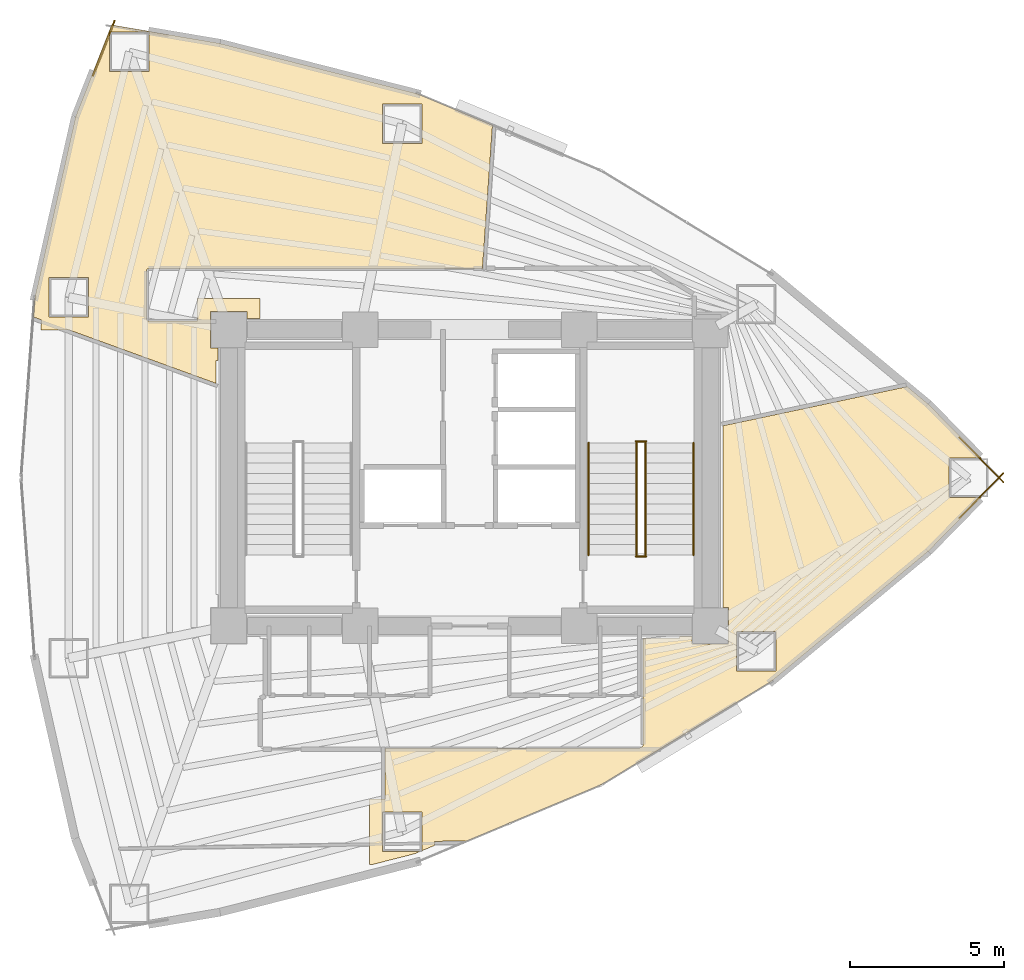
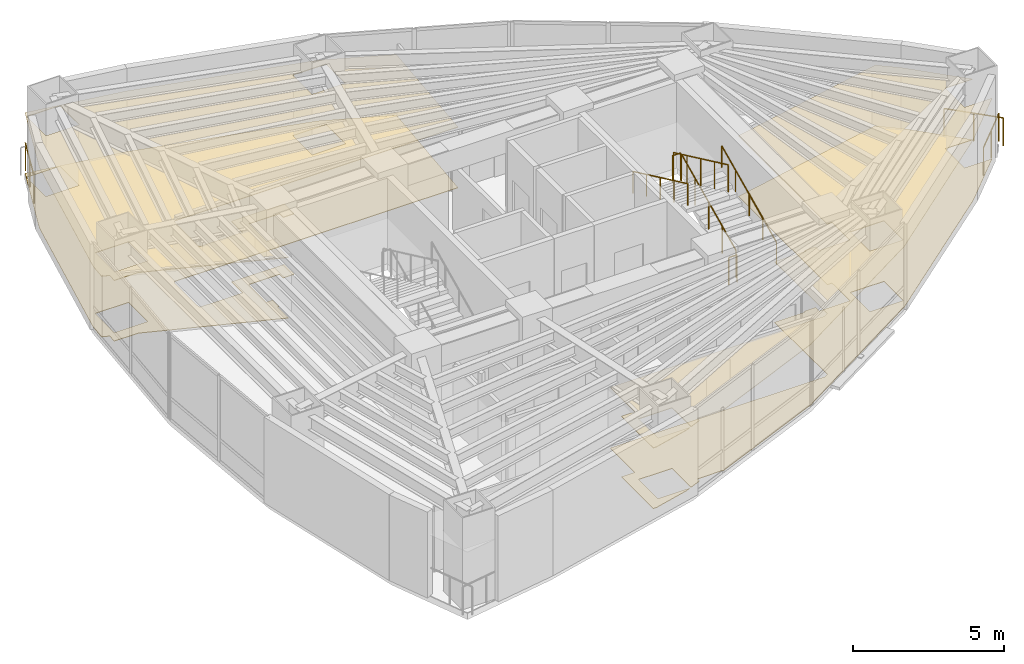
# One storey, part 18 of 19: 9 railings, 4 coverings.
"""IFC4 building model written with IfcOpenShell, lengths in metres."""

import ifcopenshell
import ifcopenshell.guid

model = None  # the IFC model being written
_history = None  # IfcOwnerHistory: only IFC2X3 demands one
_inside = {}  # id of a spatial element -> (the spatial element, [elements in it])
_under = {}  # id of a project, library or spatial element -> (it, [spatial elements below it])
_declared = {}  # id of a project -> (the project, [libraries it declares])
_typed = {}  # id of a type object -> (the type object, [elements of that type])
_made_of = {}  # id of a material, layer set ... -> (it, [elements and type objects made of it])


def new_model(schema):
    """Start an empty IFC model of exactly this schema.

    Asked for "IFC4X3", IfcOpenShell would pick the latest addendum, in which some entities
    have other attributes; the version numbers below select the first issue.
    IFC2X3 requires an IfcOwnerHistory on every rooted entity: one is made here for all.
    """
    global model, _history
    if schema == "IFC4X3":
        model = ifcopenshell.file(schema_version=(4, 3, 0, 0))
    else:
        model = ifcopenshell.file(schema=schema)
    _inside.clear()
    _under.clear()
    _declared.clear()
    _typed.clear()
    _made_of.clear()
    _history = None
    if model.schema == "IFC2X3":
        org = make("IfcOrganization", Name="unknown")
        user = make(
            "IfcPersonAndOrganization",
            ThePerson=make("IfcPerson", FamilyName="unknown"),
            TheOrganization=org,
        )
        app = make(
            "IfcApplication",
            ApplicationDeveloper=org,
            Version="unknown",
            ApplicationFullName="unknown",
            ApplicationIdentifier="unknown",
        )
        _history = make(
            "IfcOwnerHistory",
            OwningUser=user,
            OwningApplication=app,
            ChangeAction="ADDED",
            CreationDate=0,
        )
    return model


def make(cls, **values):
    """One entity of the class cls with the attributes given. An attribute that is None is left unset."""
    return model.create_entity(
        cls, **{name: value for name, value in values.items() if value is not None}
    )


def rooted(cls, **values):
    """An entity with a GlobalId (a new one), such as an element, a storey or a relation."""
    return make(cls, GlobalId=ifcopenshell.guid.new(), OwnerHistory=_history, **values)


def si_unit(unit_type, name, prefix=None):
    """IfcSIUnit, for example si_unit("LENGTHUNIT", "METRE", prefix="MILLI")."""
    return make("IfcSIUnit", UnitType=unit_type, Prefix=prefix, Name=name)


def assignment(units):
    """IfcUnitAssignment: the units of a project."""
    return None if units is None else make("IfcUnitAssignment", Units=units)


def point(xyz):
    """IfcCartesianPoint."""
    return None if xyz is None else make("IfcCartesianPoint", Coordinates=xyz)


def direction(xyz):
    """IfcDirection."""
    return None if xyz is None else make("IfcDirection", DirectionRatios=xyz)


def frame(location, z_axis=None, x_axis=None):
    """IfcAxis2Placement3D, a coordinate frame: its origin and axes. An axis left out is left unset."""
    return make(
        "IfcAxis2Placement3D",
        Location=point(location),
        Axis=direction(z_axis),
        RefDirection=direction(x_axis),
    )


def frame_2d(location, x_axis=None):
    """IfcAxis2Placement2D, a coordinate frame in the plane: its origin and x axis."""
    return make(
        "IfcAxis2Placement2D", Location=point(location), RefDirection=direction(x_axis)
    )


def origin():
    """The frame at (0, 0, 0) with its axes left unset."""
    return frame((0.0, 0.0, 0.0))


def origin_2d():
    """The frame at (0, 0) in the plane with its x axis left unset."""
    return frame_2d((0.0, 0.0))


def place(relative_to, where):
    """IfcLocalPlacement: puts the frame where relative to a parent placement (None: the world)."""
    return make(
        "IfcLocalPlacement", PlacementRelTo=relative_to, RelativePlacement=where
    )


def context(
    kind, dimensions, precision=None, world=None, true_north=None, identifier=None
):
    """IfcGeometricRepresentationContext, for example the 3D "Model" context."""
    return make(
        "IfcGeometricRepresentationContext",
        ContextIdentifier=identifier,
        ContextType=kind,
        CoordinateSpaceDimension=dimensions,
        Precision=precision,
        WorldCoordinateSystem=world,
        TrueNorth=true_north,
    )


def subcontext(parent, identifier, kind, view, scale=None):
    """IfcGeometricRepresentationSubContext, for example "Body" below "Model"."""
    return make(
        "IfcGeometricRepresentationSubContext",
        ContextIdentifier=identifier,
        ContextType=kind,
        ParentContext=parent,
        TargetScale=scale,
        TargetView=view,
    )


def project(units=None, contexts=None):
    """IfcProject with its units and contexts."""
    return rooted(
        "IfcProject",
        Name="project",
        RepresentationContexts=contexts,
        UnitsInContext=assignment(units),
    )


def spatial(cls, under=None, at=None, **own):
    """A site, building, storey or space (cls), placed at a placement, below another one or the project."""
    s = rooted(cls, ObjectPlacement=at, **own)
    if under is not None:
        _under.setdefault(under.id(), (under, []))[1].append(s)
    return s


def polyline(points):
    """IfcPolyline through the points."""
    return make("IfcPolyline", Points=[point(p) for p in points])


def profile(cls, at=None, kind="AREA", **sizes):
    """A parametric profile (cls). Its sizes go by their IFC names, for example OverallWidth=200.0."""
    return make(cls, ProfileType=kind, Position=at, **sizes)


def circle(**sizes):
    """IfcCircleProfileDef."""
    return profile("IfcCircleProfileDef", **sizes)


def outline(outer, holes=None, kind="AREA"):
    """IfcArbitraryClosedProfileDef: a profile drawn as a closed curve; with holes, ...WithVoids."""
    if holes is None:
        return make("IfcArbitraryClosedProfileDef", ProfileType=kind, OuterCurve=outer)
    return make(
        "IfcArbitraryProfileDefWithVoids",
        ProfileType=kind,
        OuterCurve=outer,
        InnerCurves=holes,
    )


def extrude(swept, where, along, depth):
    """IfcExtrudedAreaSolid: the profile swept, set in the frame where, extruded along a direction by depth."""
    return make(
        "IfcExtrudedAreaSolid",
        SweptArea=swept,
        Position=where,
        ExtrudedDirection=direction(along),
        Depth=depth,
    )


def shape(context_of_items, identifier, shape_type, items):
    """IfcShapeRepresentation: the items that make up one representation, for example the "Body"."""
    return make(
        "IfcShapeRepresentation",
        ContextOfItems=context_of_items,
        RepresentationIdentifier=identifier,
        RepresentationType=shape_type,
        Items=items,
    )


def material(Name=None, Category=None):
    """IfcMaterial."""
    return make("IfcMaterial", Name=Name, Category=Category)


def layer(
    of_material, thickness, ventilated=None, Name=None, Category=None, Priority=None
):
    """IfcMaterialLayer: one layer of a wall or slab, of a material (None: an air gap)."""
    return make(
        "IfcMaterialLayer",
        Material=of_material,
        LayerThickness=thickness,
        IsVentilated=ventilated,
        Name=Name,
        Category=Category,
        Priority=Priority,
    )


def layer_set(layers, Name=None):
    """IfcMaterialLayerSet."""
    return make("IfcMaterialLayerSet", MaterialLayers=layers, LayerSetName=Name)


def made_of(thing, what):
    """Note that an element or type object is made of a material, layer set ...; save() writes the relation."""
    if what is not None:
        _made_of.setdefault(what.id(), (what, []))[1].append(thing)
    return thing


def type_object(cls, material=None, **own):
    """A type object (cls), such as IfcWallType, which elements share."""
    return made_of(rooted(cls, **own), material)


def element(
    cls,
    number,
    at=None,
    inside=None,
    cuts=None,
    type_object=None,
    material=None,
    context=None,
    identifier="Body",
    shape_type=None,
    held_by="IfcProductDefinitionShape",
    body=None,
    shapes=None,
    **own,
):
    """One element of the class cls, such as IfcWall. Its Tag is "e" and its number.

    at: its placement. inside: the storey or other place that contains it. cuts: it is an
    opening in that element (IfcRelVoidsElement). A single representation is given by context,
    identifier, shape_type and body (its items); several are given by shapes. held_by: the class
    of the entity that holds the representations. save() writes the other relations.
    """
    e = rooted(cls, Tag="e%d" % number, ObjectPlacement=at, **own)
    if body is not None:
        shapes = [shape(context, identifier, shape_type, body)]
    if shapes is not None:
        e.Representation = make(held_by, Representations=shapes)
    if inside is not None:
        _inside.setdefault(inside.id(), (inside, []))[1].append(e)
    if cuts is not None:
        rooted(
            "IfcRelVoidsElement", RelatingBuildingElement=cuts, RelatedOpeningElement=e
        )
    if type_object is not None:
        _typed.setdefault(type_object.id(), (type_object, []))[1].append(e)
    return made_of(e, material)


def aggregate(whole, parts):
    """IfcRelAggregates: a whole, such as a stair, and the parts it consists of."""
    return rooted("IfcRelAggregates", RelatingObject=whole, RelatedObjects=parts)


def save(model, path):
    """Write the relations noted so far, then the file.

    IfcRelAggregates (storeys below a building ...), IfcRelContainedInSpatialStructure (elements
    in a storey), IfcRelDefinesByType, IfcRelAssociatesMaterial and IfcRelDeclares: one each for
    every whole, place, type object, material and project.
    """
    for whole, parts in _under.values():
        aggregate(whole, parts)
    for where, things in _inside.values():
        rooted(
            "IfcRelContainedInSpatialStructure",
            RelatedElements=things,
            RelatingStructure=where,
        )
    for kind, things in _typed.values():
        rooted("IfcRelDefinesByType", RelatedObjects=things, RelatingType=kind)
    for what, things in _made_of.values():
        rooted("IfcRelAssociatesMaterial", RelatedObjects=things, RelatingMaterial=what)
    for by, libraries in _declared.values():
        rooted("IfcRelDeclares", RelatingContext=by, RelatedDefinitions=libraries)
    model.write(path)


model = new_model("IFC4")

# Units and contexts
model_context = context("Model", 3, precision=1e-05, world=origin(), true_north=direction((0.0, 1.0)))
body_context = subcontext(model_context, "Body", "Model", "MODEL_VIEW")
ifc_project = project(units=[si_unit("LENGTHUNIT", "METRE"), si_unit("AREAUNIT", "SQUARE_METRE"), si_unit("VOLUMEUNIT", "CUBIC_METRE"), si_unit("PLANEANGLEUNIT", "RADIAN"), si_unit("MASSUNIT", "GRAM", prefix="KILO")], contexts=[model_context])

# Site, building, storey
site_placement = place(None, origin())
site = spatial("IfcSite", under=ifc_project, at=site_placement, CompositionType="ELEMENT")
building_placement = place(site_placement, origin())
building = spatial("IfcBuilding", under=site, at=building_placement, Name="Menara Vayukalpa", CompositionType="ELEMENT")
storey_placement = place(building_placement, frame((0.0, 0.0, 122.580078125)))
storey = spatial("IfcBuildingStorey", under=building, at=storey_placement, Name="L30", CompositionType="ELEMENT", Elevation=122.580078125)

# Coverings
ifc_material_1 = material(Name="Mineral Fibre Acoustic Ceiling Tile", Category="masonry")
ifc_layer_1 = layer(ifc_material_1, 0.02490234375)
ifc_layer_set_1 = layer_set([ifc_layer_1], Name="Mineral Fibre Acoustic Ceiling Tile")
covering_type_1 = type_object("IfcCoveringType", Name="COV-CLG1", PredefinedType="CEILING", material=ifc_layer_set_1)
covering_1_placement = place(storey_placement, frame((0.0, 0.0, 2.449951171875)))
element("IfcCovering", 1, at=covering_1_placement, inside=storey, type_object=covering_type_1, Name="L30 Client Conference Room Acoustic Ceiling", PredefinedType="CEILING", context=body_context, shape_type="SweptSolid", body=[
    extrude(outline(polyline([(22.860107421875, 13.2099609375), (22.860107421875, 13.2109375), (22.860107421875, 13.2119140625), (22.8603515625, 13.212890625), (22.86083984375, 13.2138671875), (22.861083984375, 13.214599609375), (22.86181640625, 13.215576171875), (22.8623046875, 13.21630859375), (22.86279296875, 13.217041015625), (22.86376953125, 13.2177734375), (22.864501953125, 13.21826171875), (22.865234375, 13.21875), (22.8662109375, 13.21923828125), (22.8671875, 13.219482421875), (22.867919921875, 13.2197265625), (22.868896484375, 13.219970703125), (22.8701171875, 13.219970703125), (31.048828125, 13.219970703125), (31.055419921875, 13.22021484375), (31.0615234375, 13.22119140625), (31.06787109375, 13.22265625), (31.073974609375, 13.224609375), (31.079833984375, 13.22705078125), (31.085693359375, 13.230224609375), (31.186279296875, 13.29150390625), (31.192138671875, 13.295654296875), (31.19775390625, 13.30029296875), (31.202880859375, 13.305419921875), (31.207275390625, 13.31103515625), (31.2109375, 13.317138671875), (31.214111328125, 13.323486328125), (31.216796875, 13.330078125), (31.218505859375, 13.337158203125), (31.219482421875, 13.34423828125), (31.219970703125, 13.3515625), (31.219970703125, 14.849609375), (31.219482421875, 14.856689453125), (31.21875, 14.86376953125), (31.217041015625, 14.870361328125), (31.214599609375, 14.876708984375), (31.2119140625, 14.8828125), (31.211669921875, 14.883056640625), (31.211181640625, 14.8837890625), (31.210693359375, 14.884765625), (31.21044921875, 14.8857421875), (31.210205078125, 14.88671875), (31.2099609375, 14.8876953125), (31.2099609375, 14.888671875), (31.2099609375, 16.780029296875), (31.2099609375, 16.781005859375), (31.210205078125, 16.781982421875), (31.21044921875, 16.782958984375), (31.210693359375, 16.78369140625), (31.211181640625, 16.78466796875), (31.211669921875, 16.78564453125), (31.21240234375, 16.786376953125), (31.212890625, 16.787109375), (31.213623046875, 16.78759765625), (31.21435546875, 16.788330078125), (31.21533203125, 16.788818359375), (31.21630859375, 16.789306640625), (31.217041015625, 16.78955078125), (31.218017578125, 16.789794921875), (31.218994140625, 16.7900390625), (31.219970703125, 16.7900390625), (32.389892578125, 16.7900390625), (32.389892578125, 16.85009765625), (32.81005859375, 16.85009765625), (32.81005859375, 16.610107421875), (33.989990234375, 16.610107421875), (33.989990234375, 17.7900390625), (33.81005859375, 17.7900390625), (33.81005859375, 23.67578125), (33.81005859375, 23.6767578125), (33.810302734375, 23.677490234375), (33.810302734375, 23.6787109375), (33.810791015625, 23.679443359375), (33.811279296875, 23.680419921875), (33.811767578125, 23.68115234375), (33.812255859375, 23.681884765625), (33.81298828125, 23.6826171875), (33.813720703125, 23.683349609375), (33.814453125, 23.68408203125), (33.815185546875, 23.6845703125), (33.816162109375, 23.684814453125), (33.81689453125, 23.685302734375), (33.81787109375, 23.685546875), (39.7509765625, 24.946533203125), (39.7568359375, 24.947998046875), (39.76220703125, 24.9501953125), (39.763671875, 24.95068359375), (39.764404296875, 24.951171875), (39.765380859375, 24.951416015625), (39.766357421875, 24.95166015625), (39.767333984375, 24.951904296875), (39.768310546875, 24.951904296875), (39.769287109375, 24.951904296875), (39.770263671875, 24.95166015625), (39.77099609375, 24.951416015625), (39.77197265625, 24.951171875), (39.77294921875, 24.95068359375), (39.773681640625, 24.9501953125), (39.7744140625, 24.94970703125), (40.46044921875, 24.380615234375), (40.461181640625, 24.3798828125), (42.169677734375, 22.639892578125), (41.121826171875, 22.639892578125), (41.121826171875, 21.360107421875), (42.169677734375, 21.360107421875), (40.461181640625, 19.6201171875), (40.46044921875, 19.619384765625), (35.380859375, 15.40673828125), (35.379638671875, 15.406005859375), (29.862060546875, 12.05419921875), (29.861328125, 12.0537109375), (29.860595703125, 12.053466796875), (25.472900390625, 10.218017578125), (25.47216796875, 10.2177734375), (25.47119140625, 10.217529296875), (25.47021484375, 10.21728515625), (25.46923828125, 10.21728515625), (25.46826171875, 10.21728515625), (25.46728515625, 10.21728515625), (25.466552734375, 10.217529296875), (25.465576171875, 10.218017578125), (25.464599609375, 10.21826171875), (25.4638671875, 10.21875), (25.463134765625, 10.21923828125), (25.46240234375, 10.219970703125), (25.459716796875, 10.222412109375), (25.454833984375, 10.225830078125), (25.449951171875, 10.228759765625), (25.444580078125, 10.231201171875), (25.438720703125, 10.23291015625), (25.43310546875, 10.234375), (25.42724609375, 10.235107421875), (25.421142578125, 10.2353515625), (24.46826171875, 10.21875), (24.46826171875, 10.090576171875), (24.048095703125, 9.914794921875), (24.048095703125, 11.172607421875), (22.768310546875, 11.172607421875), (22.768310546875, 9.892578125), (23.9951171875, 9.892578125), (23.818359375, 9.818603515625), (22.46142578125, 9.47265625), (22.34814453125, 9.47265625), (22.34814453125, 11.592529296875), (22.860107421875, 11.592529296875), (22.860107421875, 13.2099609375)]), holes=[polyline([(35.52685546875, 17.018310546875), (34.246826171875, 17.018310546875), (34.246826171875, 15.73828125), (35.52685546875, 15.73828125), (35.52685546875, 17.018310546875)])]), origin(), (0.0, 0.0, 1.0), 0.02490234375),
])
covering_2_placement = place(storey_placement, frame((0.0, 0.0, 2.449951171875)))
element("IfcCovering", 2, at=covering_2_placement, inside=storey, type_object=covering_type_1, Name="L30 Digital Engineering Lab Acoustic Ceiling", PredefinedType="CEILING", context=body_context, shape_type="SweptSolid", body=[
    extrude(outline(polyline([(18.81005859375, 27.14990234375), (18.389892578125, 27.14990234375), (18.389892578125, 27.389892578125), (17.2099609375, 27.389892578125), (17.2099609375, 26.2099609375), (17.449951171875, 26.2099609375), (17.449951171875, 25.7900390625), (17.389892578125, 25.7900390625), (17.389892578125, 25.06640625), (17.389892578125, 25.065185546875), (17.389892578125, 25.064453125), (17.3896484375, 25.0634765625), (17.389404296875, 25.0625), (17.388916015625, 25.061767578125), (17.388427734375, 25.060791015625), (17.3876953125, 25.06005859375), (17.38720703125, 25.059326171875), (17.386474609375, 25.05859375), (17.3857421875, 25.05810546875), (17.385009765625, 25.0576171875), (17.384033203125, 25.05712890625), (17.38330078125, 25.056884765625), (17.382080078125, 25.056640625), (17.38134765625, 25.056396484375), (17.38037109375, 25.056396484375), (17.37939453125, 25.056396484375), (17.37841796875, 25.056396484375), (17.37744140625, 25.056640625), (17.376708984375, 25.056884765625), (12.626708984375, 26.78564453125), (11.7080078125, 26.78564453125), (11.732421875, 27.111328125), (11.475830078125, 27.20458984375), (11.47509765625, 27.205078125), (11.47412109375, 27.20556640625), (11.473388671875, 27.2060546875), (11.472412109375, 27.206787109375), (11.4716796875, 27.20751953125), (11.47119140625, 27.208251953125), (11.470703125, 27.208984375), (11.47021484375, 27.2099609375), (11.4697265625, 27.210693359375), (11.469482421875, 27.2119140625), (11.469482421875, 27.212890625), (11.46923828125, 27.2138671875), (11.46923828125, 27.214599609375), (11.516357421875, 27.843505859375), (11.5166015625, 27.844970703125), (12.831298828125, 33.687744140625), (12.83154296875, 33.6884765625), (12.831787109375, 33.689208984375), (13.997314453125, 36.6572265625), (13.997802734375, 36.658203125), (13.998291015625, 36.658935546875), (13.998779296875, 36.659912109375), (13.99951171875, 36.660400390625), (14.000244140625, 36.6611328125), (14.0009765625, 36.661865234375), (14.001708984375, 36.662353515625), (14.002685546875, 36.66259765625), (14.003662109375, 36.6630859375), (14.00439453125, 36.663330078125), (14.005615234375, 36.66357421875), (14.00634765625, 36.66357421875), (14.00732421875, 36.66357421875), (14.00830078125, 36.66357421875), (17.5078125, 36.0693359375), (17.5087890625, 36.069091796875), (23.903564453125, 34.438232421875), (23.90478515625, 34.437744140625), (26.331787109375, 33.422607421875), (26.33251953125, 33.422119140625), (26.33349609375, 33.421630859375), (26.334228515625, 33.421142578125), (26.3349609375, 33.42041015625), (26.335693359375, 33.419921875), (26.336181640625, 33.4189453125), (26.336669921875, 33.418212890625), (26.337158203125, 33.41748046875), (26.33740234375, 33.41650390625), (26.337646484375, 33.41552734375), (26.337890625, 33.41455078125), (26.337890625, 33.413818359375), (26.337890625, 33.41259765625), (26.013916015625, 28.779296875), (26.013916015625, 28.7783203125), (26.013427734375, 28.77734375), (26.01318359375, 28.7763671875), (26.0126953125, 28.775390625), (26.01220703125, 28.774658203125), (26.01171875, 28.773681640625), (26.010986328125, 28.77294921875), (26.01025390625, 28.7724609375), (26.009521484375, 28.771728515625), (26.0087890625, 28.771240234375), (26.0078125, 28.770751953125), (26.0068359375, 28.7705078125), (26.005859375, 28.770263671875), (26.0048828125, 28.77001953125), (26.00390625, 28.77001953125), (15.2001953125, 28.77001953125), (15.193115234375, 28.76953125), (15.186279296875, 28.768798828125), (15.1796875, 28.76708984375), (15.173095703125, 28.7646484375), (15.1669921875, 28.76171875), (15.1611328125, 28.75830078125), (15.155517578125, 28.75390625), (15.150390625, 28.74951171875), (15.14599609375, 28.744384765625), (15.141845703125, 28.73876953125), (15.13818359375, 28.73291015625), (15.13525390625, 28.726806640625), (15.133056640625, 28.72021484375), (15.13134765625, 28.713623046875), (15.13037109375, 28.706787109375), (15.1298828125, 28.69970703125), (15.1298828125, 27.140380859375), (15.13037109375, 27.13330078125), (15.13134765625, 27.126220703125), (15.133056640625, 27.11962890625), (15.13525390625, 27.11328125), (15.13818359375, 27.10693359375), (15.141845703125, 27.101318359375), (15.14599609375, 27.095458984375), (15.150390625, 27.090576171875), (15.155517578125, 27.0859375), (15.1611328125, 27.081787109375), (15.1669921875, 27.078125), (15.173095703125, 27.0751953125), (15.1796875, 27.072998046875), (15.186279296875, 27.0712890625), (15.193115234375, 27.0703125), (15.2001953125, 27.070068359375), (16.7900390625, 27.070068359375), (16.7900390625, 27.81005859375), (18.81005859375, 27.81005859375), (18.81005859375, 27.14990234375)]), holes=[polyline([(13.24658203125, 28.485595703125), (11.966552734375, 28.485595703125), (11.966552734375, 27.205810546875), (13.24658203125, 27.205810546875), (13.24658203125, 28.485595703125)]), polyline([(15.208984375, 36.4375), (13.92919921875, 36.4375), (13.92919921875, 35.157470703125), (15.208984375, 35.157470703125), (15.208984375, 36.4375)]), polyline([(24.048095703125, 32.827392578125), (24.048095703125, 34.107421875), (22.768310546875, 34.107421875), (22.768310546875, 32.827392578125), (24.048095703125, 32.827392578125)])]), origin(), (0.0, 0.0, 1.0), 0.02490234375),
])
ifc_material_2 = material(Name="Porcelain Stoneware Floor Tile", Category="masonry")
ifc_layer_2 = layer(ifc_material_2, 0.02001953125)
ifc_layer_set_2 = layer_set([ifc_layer_2], Name="Porcelain Stoneware Floor Tile")
covering_type_2 = type_object("IfcCoveringType", Name="COV-FLR1", PredefinedType="FLOORING", material=ifc_layer_set_2)
covering_3_placement = place(storey_placement, origin())
element("IfcCovering", 3, at=covering_3_placement, inside=storey, type_object=covering_type_2, Name="L30 Client Conference Room Porcelain Flooring", PredefinedType="FLOORING", context=body_context, shape_type="SweptSolid", body=[
    extrude(outline(polyline([(22.860107421875, 13.2099609375), (22.860107421875, 13.2109375), (22.860107421875, 13.2119140625), (22.8603515625, 13.212890625), (22.86083984375, 13.2138671875), (22.861083984375, 13.214599609375), (22.86181640625, 13.215576171875), (22.8623046875, 13.21630859375), (22.86279296875, 13.217041015625), (22.86376953125, 13.2177734375), (22.864501953125, 13.21826171875), (22.865234375, 13.21875), (22.8662109375, 13.21923828125), (22.8671875, 13.219482421875), (22.867919921875, 13.2197265625), (22.868896484375, 13.219970703125), (22.8701171875, 13.219970703125), (31.048828125, 13.219970703125), (31.055419921875, 13.22021484375), (31.0615234375, 13.22119140625), (31.06787109375, 13.22265625), (31.073974609375, 13.224609375), (31.079833984375, 13.22705078125), (31.085693359375, 13.230224609375), (31.186279296875, 13.29150390625), (31.192138671875, 13.295654296875), (31.19775390625, 13.30029296875), (31.202880859375, 13.305419921875), (31.207275390625, 13.31103515625), (31.2109375, 13.317138671875), (31.214111328125, 13.323486328125), (31.216796875, 13.330078125), (31.218505859375, 13.337158203125), (31.219482421875, 13.34423828125), (31.219970703125, 13.3515625), (31.219970703125, 14.849609375), (31.219482421875, 14.856689453125), (31.21875, 14.86376953125), (31.217041015625, 14.870361328125), (31.214599609375, 14.876708984375), (31.2119140625, 14.8828125), (31.211669921875, 14.883056640625), (31.211181640625, 14.8837890625), (31.210693359375, 14.884765625), (31.21044921875, 14.8857421875), (31.210205078125, 14.88671875), (31.2099609375, 14.8876953125), (31.2099609375, 14.888671875), (31.2099609375, 16.780029296875), (31.2099609375, 16.781005859375), (31.210205078125, 16.781982421875), (31.21044921875, 16.782958984375), (31.210693359375, 16.78369140625), (31.211181640625, 16.78466796875), (31.211669921875, 16.78564453125), (31.21240234375, 16.786376953125), (31.212890625, 16.787109375), (31.213623046875, 16.78759765625), (31.21435546875, 16.788330078125), (31.21533203125, 16.788818359375), (31.21630859375, 16.789306640625), (31.217041015625, 16.78955078125), (31.218017578125, 16.789794921875), (31.218994140625, 16.7900390625), (31.219970703125, 16.7900390625), (32.389892578125, 16.7900390625), (32.389892578125, 16.85009765625), (32.81005859375, 16.85009765625), (32.81005859375, 16.610107421875), (33.989990234375, 16.610107421875), (33.989990234375, 17.7900390625), (33.81005859375, 17.7900390625), (33.81005859375, 23.67578125), (33.81005859375, 23.6767578125), (33.810302734375, 23.677490234375), (33.810302734375, 23.6787109375), (33.810791015625, 23.679443359375), (33.811279296875, 23.680419921875), (33.811767578125, 23.68115234375), (33.812255859375, 23.681884765625), (33.81298828125, 23.6826171875), (33.813720703125, 23.683349609375), (33.814453125, 23.68408203125), (33.815185546875, 23.6845703125), (33.816162109375, 23.684814453125), (33.81689453125, 23.685302734375), (33.81787109375, 23.685546875), (39.7509765625, 24.946533203125), (39.7568359375, 24.947998046875), (39.76220703125, 24.9501953125), (39.763671875, 24.95068359375), (39.764404296875, 24.951171875), (39.765380859375, 24.951416015625), (39.766357421875, 24.95166015625), (39.767333984375, 24.951904296875), (39.768310546875, 24.951904296875), (39.769287109375, 24.951904296875), (39.770263671875, 24.95166015625), (39.77099609375, 24.951416015625), (39.77197265625, 24.951171875), (39.77294921875, 24.95068359375), (39.773681640625, 24.9501953125), (39.7744140625, 24.94970703125), (40.46044921875, 24.380615234375), (40.461181640625, 24.3798828125), (42.169677734375, 22.639892578125), (41.121826171875, 22.639892578125), (41.121826171875, 21.360107421875), (42.169677734375, 21.360107421875), (40.461181640625, 19.6201171875), (40.46044921875, 19.619384765625), (35.380859375, 15.40673828125), (35.379638671875, 15.406005859375), (29.862060546875, 12.05419921875), (29.861328125, 12.0537109375), (29.860595703125, 12.053466796875), (25.472900390625, 10.218017578125), (25.47216796875, 10.2177734375), (25.47119140625, 10.217529296875), (25.47021484375, 10.21728515625), (25.46923828125, 10.21728515625), (25.46826171875, 10.21728515625), (25.46728515625, 10.21728515625), (25.466552734375, 10.217529296875), (25.465576171875, 10.218017578125), (25.464599609375, 10.21826171875), (25.4638671875, 10.21875), (25.463134765625, 10.21923828125), (25.46240234375, 10.219970703125), (25.459716796875, 10.222412109375), (25.454833984375, 10.225830078125), (25.449951171875, 10.228759765625), (25.444580078125, 10.231201171875), (25.438720703125, 10.23291015625), (25.43310546875, 10.234375), (25.42724609375, 10.235107421875), (25.421142578125, 10.2353515625), (24.46826171875, 10.21875), (24.46826171875, 10.090576171875), (24.048095703125, 9.914794921875), (24.048095703125, 11.172607421875), (22.768310546875, 11.172607421875), (22.768310546875, 9.892578125), (23.9951171875, 9.892578125), (23.818359375, 9.818603515625), (22.46142578125, 9.47265625), (22.34814453125, 9.47265625), (22.34814453125, 11.592529296875), (22.860107421875, 11.592529296875), (22.860107421875, 13.2099609375)]), holes=[polyline([(35.52685546875, 17.018310546875), (34.246826171875, 17.018310546875), (34.246826171875, 15.73828125), (35.52685546875, 15.73828125), (35.52685546875, 17.018310546875)])]), origin(), (0.0, 0.0, 1.0), 0.02001953125),
])
covering_4_placement = place(storey_placement, origin())
element("IfcCovering", 4, at=covering_4_placement, inside=storey, type_object=covering_type_2, Name="L30 Digital Engineering Lab Porcelain Flooring", PredefinedType="FLOORING", context=body_context, shape_type="SweptSolid", body=[
    extrude(outline(polyline([(18.81005859375, 27.14990234375), (18.389892578125, 27.14990234375), (18.389892578125, 27.389892578125), (17.2099609375, 27.389892578125), (17.2099609375, 26.2099609375), (17.449951171875, 26.2099609375), (17.449951171875, 25.7900390625), (17.389892578125, 25.7900390625), (17.389892578125, 25.06640625), (17.389892578125, 25.065185546875), (17.389892578125, 25.064453125), (17.3896484375, 25.0634765625), (17.389404296875, 25.0625), (17.388916015625, 25.061767578125), (17.388427734375, 25.060791015625), (17.3876953125, 25.06005859375), (17.38720703125, 25.059326171875), (17.386474609375, 25.05859375), (17.3857421875, 25.05810546875), (17.385009765625, 25.0576171875), (17.384033203125, 25.05712890625), (17.38330078125, 25.056884765625), (17.382080078125, 25.056640625), (17.38134765625, 25.056396484375), (17.38037109375, 25.056396484375), (17.37939453125, 25.056396484375), (17.37841796875, 25.056396484375), (17.37744140625, 25.056640625), (17.376708984375, 25.056884765625), (12.626708984375, 26.78564453125), (11.7080078125, 26.78564453125), (11.732421875, 27.111328125), (11.475830078125, 27.20458984375), (11.47509765625, 27.205078125), (11.47412109375, 27.20556640625), (11.473388671875, 27.2060546875), (11.472412109375, 27.206787109375), (11.4716796875, 27.20751953125), (11.47119140625, 27.208251953125), (11.470703125, 27.208984375), (11.47021484375, 27.2099609375), (11.4697265625, 27.210693359375), (11.469482421875, 27.2119140625), (11.469482421875, 27.212890625), (11.46923828125, 27.2138671875), (11.46923828125, 27.214599609375), (11.516357421875, 27.843505859375), (11.5166015625, 27.844970703125), (12.831298828125, 33.687744140625), (12.83154296875, 33.6884765625), (12.831787109375, 33.689208984375), (13.997314453125, 36.6572265625), (13.997802734375, 36.658203125), (13.998291015625, 36.658935546875), (13.998779296875, 36.659912109375), (13.99951171875, 36.660400390625), (14.000244140625, 36.6611328125), (14.0009765625, 36.661865234375), (14.001708984375, 36.662353515625), (14.002685546875, 36.66259765625), (14.003662109375, 36.6630859375), (14.00439453125, 36.663330078125), (14.005615234375, 36.66357421875), (14.00634765625, 36.66357421875), (14.00732421875, 36.66357421875), (14.00830078125, 36.66357421875), (17.5078125, 36.0693359375), (17.5087890625, 36.069091796875), (23.903564453125, 34.438232421875), (23.90478515625, 34.437744140625), (26.331787109375, 33.422607421875), (26.33251953125, 33.422119140625), (26.33349609375, 33.421630859375), (26.334228515625, 33.421142578125), (26.3349609375, 33.42041015625), (26.335693359375, 33.419921875), (26.336181640625, 33.4189453125), (26.336669921875, 33.418212890625), (26.337158203125, 33.41748046875), (26.33740234375, 33.41650390625), (26.337646484375, 33.41552734375), (26.337890625, 33.41455078125), (26.337890625, 33.413818359375), (26.337890625, 33.41259765625), (26.013916015625, 28.779296875), (26.013916015625, 28.7783203125), (26.013427734375, 28.77734375), (26.01318359375, 28.7763671875), (26.0126953125, 28.775390625), (26.01220703125, 28.774658203125), (26.01171875, 28.773681640625), (26.010986328125, 28.77294921875), (26.01025390625, 28.7724609375), (26.009521484375, 28.771728515625), (26.0087890625, 28.771240234375), (26.0078125, 28.770751953125), (26.0068359375, 28.7705078125), (26.005859375, 28.770263671875), (26.0048828125, 28.77001953125), (26.00390625, 28.77001953125), (15.2001953125, 28.77001953125), (15.193115234375, 28.76953125), (15.186279296875, 28.768798828125), (15.1796875, 28.76708984375), (15.173095703125, 28.7646484375), (15.1669921875, 28.76171875), (15.1611328125, 28.75830078125), (15.155517578125, 28.75390625), (15.150390625, 28.74951171875), (15.14599609375, 28.744384765625), (15.141845703125, 28.73876953125), (15.13818359375, 28.73291015625), (15.13525390625, 28.726806640625), (15.133056640625, 28.72021484375), (15.13134765625, 28.713623046875), (15.13037109375, 28.706787109375), (15.1298828125, 28.69970703125), (15.1298828125, 27.140380859375), (15.13037109375, 27.13330078125), (15.13134765625, 27.126220703125), (15.133056640625, 27.11962890625), (15.13525390625, 27.11328125), (15.13818359375, 27.10693359375), (15.141845703125, 27.101318359375), (15.14599609375, 27.095458984375), (15.150390625, 27.090576171875), (15.155517578125, 27.0859375), (15.1611328125, 27.081787109375), (15.1669921875, 27.078125), (15.173095703125, 27.0751953125), (15.1796875, 27.072998046875), (15.186279296875, 27.0712890625), (15.193115234375, 27.0703125), (15.2001953125, 27.070068359375), (16.7900390625, 27.070068359375), (16.7900390625, 27.81005859375), (18.81005859375, 27.81005859375), (18.81005859375, 27.14990234375)]), holes=[polyline([(13.24658203125, 28.485595703125), (11.966552734375, 28.485595703125), (11.966552734375, 27.205810546875), (13.24658203125, 27.205810546875), (13.24658203125, 28.485595703125)]), polyline([(15.208984375, 36.4375), (13.92919921875, 36.4375), (13.92919921875, 35.157470703125), (15.208984375, 35.157470703125), (15.208984375, 36.4375)]), polyline([(24.048095703125, 32.827392578125), (24.048095703125, 34.107421875), (22.768310546875, 34.107421875), (22.768310546875, 32.827392578125), (24.048095703125, 32.827392578125)])]), origin(), (0.0, 0.0, 1.0), 0.02001953125),
])

# Railings
ifc_material_3 = material(Name="Laminated Glass and Stainless Steel 316 Guardrail", Category="steel")
railing_type_1 = type_object("IfcRailingType", Name="RLG-EXT115", PredefinedType="GUARDRAIL", material=ifc_material_3)
railing_1_placement = place(storey_placement, frame((41.458740234375, 20.693115234375, 0.0)))
element("IfcRailing", 5, at=railing_1_placement, inside=storey, type_object=railing_type_1, Name="L30 Column Corner Spandrel Guardrail 01-1", PredefinedType="GUARDRAIL", context=body_context, shape_type="SweptSolid", body=[
    extrude(circle(Radius=0.02392578125, at=origin_2d()), frame((0.0, 0.0, 1.1259765625), z_axis=(0.700555740742, 0.713597683652, 0.0), x_axis=(-0.713597683652, 0.700555740742, 0.0)), (0.0, 0.0, 1.0), 2.04052734375),
    extrude(circle(Radius=0.02099609375, at=origin_2d()), origin(), (0.0, 0.0, 1.0), 1.101806640625),
    extrude(circle(Radius=0.02099609375, at=origin_2d()), frame((0.71484375, 0.72802734375, 0.0)), (0.0, 0.0, 1.0), 1.101806640625),
    extrude(circle(Radius=0.02099609375, at=origin_2d()), frame((1.429443359375, 1.4560546875, 0.0)), (0.0, 0.0, 1.0), 1.101806640625),
])
railing_2_placement = place(storey_placement, frame((42.88818359375, 21.850830078125, 0.0)))
element("IfcRailing", 6, at=railing_2_placement, inside=storey, type_object=railing_type_1, Name="L30 Column Corner Spandrel Guardrail 02-1", PredefinedType="GUARDRAIL", context=body_context, shape_type="SweptSolid", body=[
    extrude(circle(Radius=0.02392578125, at=origin_2d()), frame((0.0, 0.0, 1.1259765625), z_axis=(-0.700555740742, 0.713597683652, 0.0), x_axis=(-0.713597683652, -0.700555740742, 0.0)), (0.0, 0.0, 1.0), 2.04052734375),
    extrude(circle(Radius=0.02099609375, at=origin_2d()), origin(), (0.0, 0.0, 1.0), 1.101806640625),
    extrude(circle(Radius=0.02099609375, at=origin_2d()), frame((-0.71484375, 0.72802734375, 0.0)), (0.0, 0.0, 1.0), 1.101806640625),
    extrude(circle(Radius=0.02099609375, at=origin_2d()), frame((-1.429443359375, 1.4560546875, 0.0)), (0.0, 0.0, 1.0), 1.101806640625),
])
railing_3_placement = place(storey_placement, frame((14.09912109375, 36.806640625, 0.0)))
element("IfcRailing", 7, at=railing_3_placement, inside=storey, type_object=railing_type_1, Name="L30 Column Corner Spandrel Guardrail 08-1", PredefinedType="GUARDRAIL", context=body_context, shape_type="SweptSolid", body=[
    extrude(circle(Radius=0.02392578125, at=origin_2d()), frame((0.0, 0.0, 1.1259765625), z_axis=(-0.365573386764, -0.930782519652, 0.0), x_axis=(0.930782519652, -0.365573386764, 0.0)), (0.0, 0.0, 1.0), 1.91259765625),
    extrude(circle(Radius=0.02099609375, at=origin_2d()), origin(), (0.0, 0.0, 1.0), 1.101806640625),
    extrude(circle(Radius=0.02099609375, at=origin_2d()), frame((-0.349609375, -0.89013671875, 0.0)), (0.0, 0.0, 1.0), 1.101806640625),
    extrude(circle(Radius=0.02099609375, at=origin_2d()), frame((-0.69921875, -1.7802734375, 0.0)), (0.0, 0.0, 1.0), 1.101806640625),
])
ifc_material_4 = material(Name="Powder-Coated Galvanised Steel Guardrail", Category="steel")
railing_type_2 = type_object("IfcRailingType", Name="RLG-STG110", PredefinedType="GUARDRAIL", material=ifc_material_4)
railing_4_placement = place(storey_placement, frame((31.300048828125, 19.5, 0.155029296875)))
element("IfcRailing", 8, at=railing_4_placement, inside=storey, type_object=railing_type_2, Name="L30 ST-2 stair guard 1", PredefinedType="GUARDRAIL", context=body_context, shape_type="SweptSolid", body=[
    extrude(circle(Radius=0.02392578125, at=origin_2d()), frame((0.0, 0.0, 1.09619140625), z_axis=(0.0, 0.90513990983, 0.425113800803), x_axis=(-1.0, 0.0, 0.0)), (0.0, 0.0, 1.0), 4.01025390625),
    extrude(circle(Radius=0.02099609375, at=origin_2d()), origin(), (0.0, 0.0, 1.0), 1.072021484375),
    extrude(circle(Radius=0.02099609375, at=origin_2d()), frame((0.0, 0.907470703125, 0.42626953125)), (0.0, 0.0, 1.0), 1.072021484375),
    extrude(circle(Radius=0.02099609375, at=origin_2d()), frame((0.0, 1.81494140625, 0.8525390625)), (0.0, 0.0, 1.0), 1.072021484375),
    extrude(circle(Radius=0.02099609375, at=origin_2d()), frame((0.0, 2.722412109375, 1.278564453125)), (0.0, 0.0, 1.0), 1.072021484375),
    extrude(circle(Radius=0.02099609375, at=origin_2d()), frame((0.0, 3.6298828125, 1.704833984375)), (0.0, 0.0, 1.0), 1.072021484375),
])
railing_5_placement = place(storey_placement, frame((31.31005859375, 23.179931640625, 1.85986328125)))
element("IfcRailing", 9, at=railing_5_placement, inside=storey, type_object=railing_type_2, Name="L30 ST-2 stair guard 2", PredefinedType="GUARDRAIL", context=body_context, shape_type="SweptSolid", body=[
    extrude(circle(Radius=0.02392578125, at=origin_2d()), frame((0.0, 0.0, 1.09619140625), z_axis=(-1.0, 0.0, 0.0), x_axis=(0.0, -1.0, 0.0)), (0.0, 0.0, 1.0), 0.320068359375),
    extrude(circle(Radius=0.02099609375, at=origin_2d()), origin(), (0.0, 0.0, 1.0), 1.072021484375),
    extrude(circle(Radius=0.02099609375, at=origin_2d()), frame((-0.320068359375, 0.0, 0.0)), (0.0, 0.0, 1.0), 1.072021484375),
])
railing_6_placement = place(storey_placement, frame((31.0, 23.1298828125, 2.014892578125)))
element("IfcRailing", 10, at=railing_6_placement, inside=storey, type_object=railing_type_2, Name="L30 ST-2 stair guard 3", PredefinedType="GUARDRAIL", context=body_context, shape_type="SweptSolid", body=[
    extrude(circle(Radius=0.02392578125, at=origin_2d()), frame((0.0, 0.0, 1.09619140625), z_axis=(0.0, -0.90511648382, 0.425163675209), x_axis=(1.0, 0.0, 0.0)), (0.0, 0.0, 1.0), 4.010498046875),
    extrude(circle(Radius=0.02099609375, at=origin_2d()), origin(), (0.0, 0.0, 1.0), 1.072021484375),
    extrude(circle(Radius=0.02099609375, at=origin_2d()), frame((0.0, -0.907470703125, 0.42626953125)), (0.0, 0.0, 1.0), 1.072021484375),
    extrude(circle(Radius=0.02099609375, at=origin_2d()), frame((0.0, -1.81494140625, 0.8525390625)), (0.0, 0.0, 1.0), 1.072021484375),
    extrude(circle(Radius=0.02099609375, at=origin_2d()), frame((0.0, -2.722412109375, 1.27880859375)), (0.0, 0.0, 1.0), 1.072021484375),
    extrude(circle(Radius=0.02099609375, at=origin_2d()), frame((0.0, -3.6298828125, 1.705078125)), (0.0, 0.0, 1.0), 1.072021484375),
])
railing_7_placement = place(storey_placement, frame((31.31005859375, 19.449951171875, 0.0)))
element("IfcRailing", 11, at=railing_7_placement, inside=storey, type_object=railing_type_2, Name="L30 ST-2 stair guard 4", PredefinedType="GUARDRAIL", context=body_context, shape_type="SweptSolid", body=[
    extrude(circle(Radius=0.02392578125, at=origin_2d()), frame((0.0, 0.0, 1.09619140625), z_axis=(-1.0, 0.0, 0.0), x_axis=(0.0, -1.0, 0.0)), (0.0, 0.0, 1.0), 0.320068359375),
    extrude(circle(Radius=0.02099609375, at=origin_2d()), origin(), (0.0, 0.0, 1.0), 1.072021484375),
    extrude(circle(Radius=0.02099609375, at=origin_2d()), frame((-0.320068359375, 0.0, 0.0)), (0.0, 0.0, 1.0), 1.072021484375),
])
ifc_material_5 = material(Name="Stainless Steel 316 Tubular Handrail", Category="steel")
railing_type_3 = type_object("IfcRailingType", Name="RLG-STH090", PredefinedType="HANDRAIL", material=ifc_material_5)
railing_8_placement = place(storey_placement, frame((32.85009765625, 19.5, 0.155029296875)))
element("IfcRailing", 12, at=railing_8_placement, inside=storey, type_object=railing_type_3, Name="L30 ST-2 stair handrail 1", PredefinedType="HANDRAIL", context=body_context, shape_type="SweptSolid", body=[
    extrude(circle(Radius=0.02392578125, at=origin_2d()), frame((0.0, 0.0, 0.8759765625), z_axis=(0.0, 0.90513990983, 0.425113800803), x_axis=(-1.0, 0.0, 0.0)), (0.0, 0.0, 1.0), 4.01025390625),
    extrude(circle(Radius=0.02099609375, at=origin_2d()), origin(), (0.0, 0.0, 1.0), 0.851806640625),
    extrude(circle(Radius=0.02099609375, at=origin_2d()), frame((0.0, 0.907470703125, 0.42626953125)), (0.0, 0.0, 1.0), 0.851806640625),
    extrude(circle(Radius=0.02099609375, at=origin_2d()), frame((0.0, 1.81494140625, 0.8525390625)), (0.0, 0.0, 1.0), 0.851806640625),
    extrude(circle(Radius=0.02099609375, at=origin_2d()), frame((0.0, 2.722412109375, 1.278564453125)), (0.0, 0.0, 1.0), 0.851806640625),
    extrude(circle(Radius=0.02099609375, at=origin_2d()), frame((0.0, 3.6298828125, 1.704833984375)), (0.0, 0.0, 1.0), 0.851806640625),
])
railing_9_placement = place(storey_placement, frame((29.449951171875, 23.1298828125, 2.014892578125)))
element("IfcRailing", 13, at=railing_9_placement, inside=storey, type_object=railing_type_3, Name="L30 ST-2 stair handrail 2", PredefinedType="HANDRAIL", context=body_context, shape_type="SweptSolid", body=[
    extrude(circle(Radius=0.02392578125, at=origin_2d()), frame((0.0, 0.0, 0.8759765625), z_axis=(0.0, -0.90511648382, 0.425163675209), x_axis=(1.0, 0.0, 0.0)), (0.0, 0.0, 1.0), 4.010498046875),
    extrude(circle(Radius=0.02099609375, at=origin_2d()), origin(), (0.0, 0.0, 1.0), 0.851806640625),
    extrude(circle(Radius=0.02099609375, at=origin_2d()), frame((0.0, -0.907470703125, 0.42626953125)), (0.0, 0.0, 1.0), 0.851806640625),
    extrude(circle(Radius=0.02099609375, at=origin_2d()), frame((0.0, -1.81494140625, 0.8525390625)), (0.0, 0.0, 1.0), 0.851806640625),
    extrude(circle(Radius=0.02099609375, at=origin_2d()), frame((0.0, -2.722412109375, 1.27880859375)), (0.0, 0.0, 1.0), 0.851806640625),
    extrude(circle(Radius=0.02099609375, at=origin_2d()), frame((0.0, -3.6298828125, 1.705078125)), (0.0, 0.0, 1.0), 0.851806640625),
])

save(model, "model.ifc")
